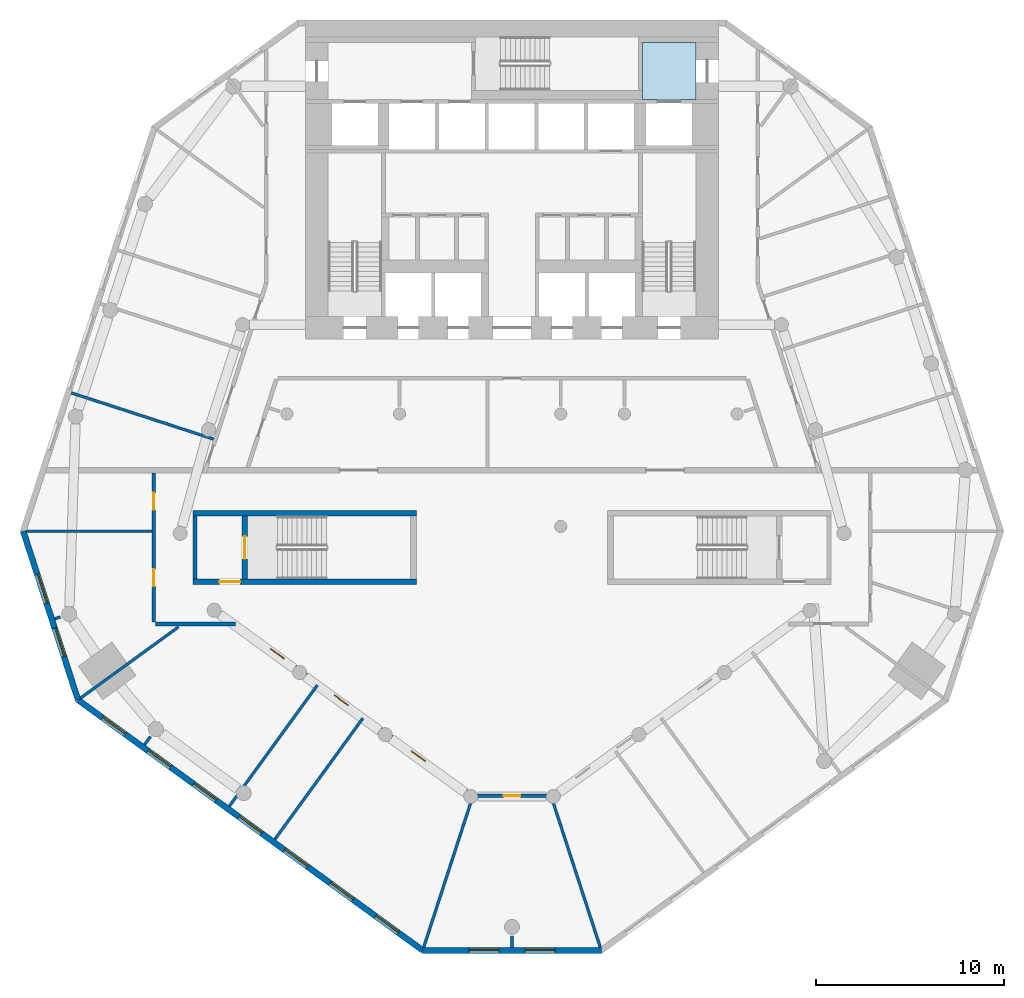
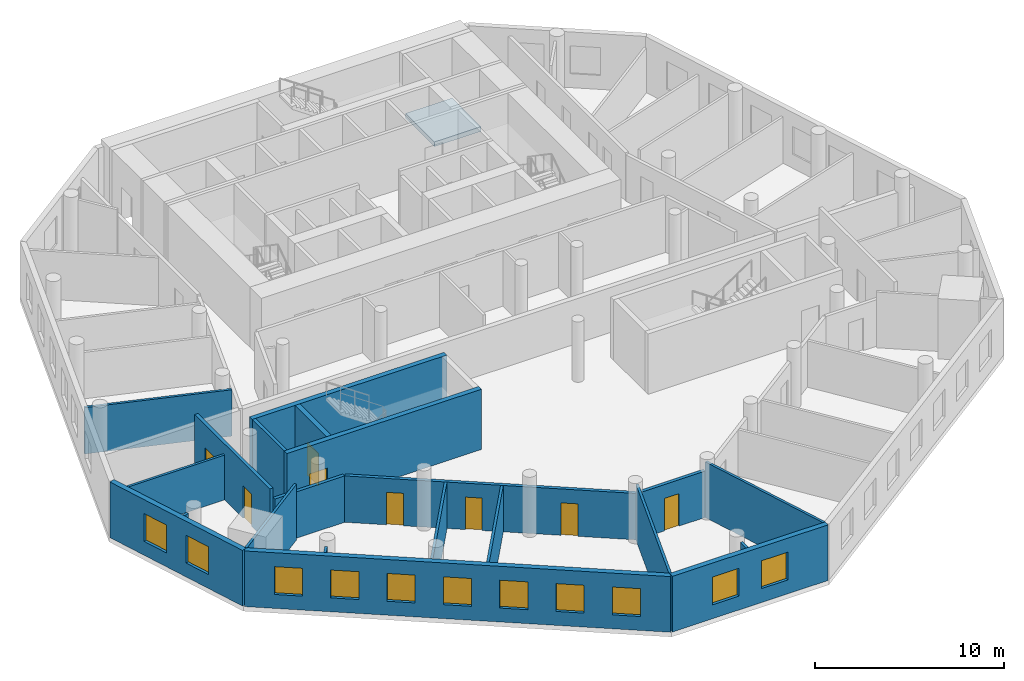
# One storey, part 2 of 9: 21 walls, 11 windows, 8 doors, 1 slab, 19 openings.
"""IFC4 building model written with IfcOpenShell, lengths in metres."""

from ifc_helpers import new_model, si_unit, direction, frame, frame_2d, origin, place, context, subcontext, project, spatial, polyline, rectangle, outline, extrude, material, layer, layer_set, type_object, element, fill, save


model = new_model("IFC4")

# Units and contexts
model_context = context("Model", 3, precision=1e-05, world=origin(), true_north=direction((0.0, 1.0)))
body_context = subcontext(model_context, "Body", "Model", "MODEL_VIEW")
ifc_project = project(units=[si_unit("LENGTHUNIT", "METRE"), si_unit("AREAUNIT", "SQUARE_METRE"), si_unit("VOLUMEUNIT", "CUBIC_METRE"), si_unit("PLANEANGLEUNIT", "RADIAN"), si_unit("MASSUNIT", "GRAM", prefix="KILO")], contexts=[model_context])

# Site, building, storey
site_placement = place(None, origin())
site = spatial("IfcSite", under=ifc_project, at=site_placement, CompositionType="ELEMENT")
building_placement = place(site_placement, origin())
building = spatial("IfcBuilding", under=site, at=building_placement, Name="White Candle Pilgrim Tower", CompositionType="ELEMENT")
storey_placement = place(building_placement, frame((0.0, 0.0, 62.39990234375)))
storey = spatial("IfcBuildingStorey", under=building, at=storey_placement, Name="L12", CompositionType="ELEMENT", Elevation=62.39990234375)

# Slab
ifc_material_1 = material(Name="Concrete C40/50", Category="concrete")
ifc_layer_1 = layer(ifc_material_1, 0.300048828125)
ifc_layer_set_1 = layer_set([ifc_layer_1], Name="Core floor slab 300 mm Concrete C40/50")
slab_type = type_object("IfcSlabType", Name="Core floor slab 300 mm Concrete C40/50", PredefinedType="FLOOR", material=ifc_layer_set_1)
slab_placement = place(storey_placement, frame((0.0, 0.0, -0.2998046875)))
element("IfcSlab", 1, at=slab_placement, inside=storey, type_object=slab_type, Name="CF-L12-06", PredefinedType="FLOOR", context=body_context, shape_type="SweptSolid", body=[
    extrude(outline(polyline([(79.800048828125, 86.800048828125), (79.800048828125, 83.75), (76.949951171875, 83.75), (76.949951171875, 84.25), (76.949951171875, 86.800048828125), (79.800048828125, 86.800048828125)])), origin(), (0.0, 0.0, 1.0), 0.2998046875),
])

# Wall
ifc_material_2 = material(Name="Concrete C70/85", Category="concrete")
ifc_layer_2 = layer(ifc_material_2, 0.199951171875)
ifc_layer_set_2 = layer_set([ifc_layer_2], Name="Core wall 200 mm Concrete C70/85")
wall_type_1 = type_object("IfcWallType", Name="Core wall 200 mm Concrete C70/85", PredefinedType="SHEAR", material=ifc_layer_set_2)
wall_1_placement = place(storey_placement, frame((53.10009765625, 58.199951171875, 0.0), z_axis=(0.0, 0.0, 1.0), x_axis=(0.0, 1.0, 0.0)))
element("IfcWall", 2, at=wall_1_placement, inside=storey, type_object=wall_type_1, Name="WL-L12-C03", PredefinedType="SHEAR", context=body_context, shape_type="SweptSolid", body=[
    extrude(rectangle(XDim=3.35009765625, YDim=0.199951171875, at=frame_2d((1.675048828125, 0.0))), origin(), (0.0, 0.0, 1.0), 3.900146484375),
])

# Wall, opening, door
ifc_material_3 = material(Name="Gypsum board on steel studs", Category="steel")
ifc_layer_3 = layer(ifc_material_3, 0.199951171875)
ifc_layer_set_3 = layer_set([ifc_layer_3], Name="Corridor wall 200 mm EI 45")
wall_type_2 = type_object("IfcWallType", Name="Corridor wall 200 mm EI 45", PredefinedType="PARTITIONING", material=ifc_layer_set_3)
wall_2_placement = place(storey_placement, frame((72.05029296875, 46.635498046875, 0.0), z_axis=(0.0, 0.0, 1.0), x_axis=(-1.0, 0.0, 0.0)))
wall_2 = element("IfcWall", 3, at=wall_2_placement, inside=storey, type_object=wall_type_2, Name="WL-L12-P009", PredefinedType="PARTITIONING", context=body_context, shape_type="SweptSolid", body=[
    extrude(rectangle(XDim=4.1005859375, YDim=0.199951171875, at=frame_2d((2.05029296875, 0.0))), origin(), (0.0, 0.0, 1.0), 3.0),
])
opening_1_placement = place(wall_2_placement, frame((1.600341796875, 0.0, 0.0)))
opening_1 = element("IfcOpeningElement", 4, at=opening_1_placement, cuts=wall_2, Name="Opening T03-105", PredefinedType="OPENING", context=body_context, shape_type="SweptSolid", body=[
    extrude(rectangle(XDim=0.89990234375, YDim=2.10009765625, at=frame_2d((0.449951171875, 1.050048828125))), frame((0.0, 0.10986328125, 0.0), z_axis=(0.0, -1.0, 0.0), x_axis=(1.0, 0.0, 0.0)), (0.0, 0.0, 1.0), 0.219970703125),
])
ifc_material_4 = material(Name="Steel door leaf", Category="steel")
door_type_1 = type_object("IfcDoorType", Name="Fire door 900 x 2100 EI 30", OperationType="NOTDEFINED", PredefinedType="DOOR", material=ifc_material_4)
door_1_placement = place(opening_1_placement, origin())
door_1 = element("IfcDoor", 5, at=door_1_placement, inside=storey, type_object=door_type_1, Name="Door T03-105", OperationType="SINGLE_SWING_LEFT", OverallHeight=2.10009765625, OverallWidth=0.89990234375, PredefinedType="DOOR", context=body_context, shape_type="SweptSolid", body=[
    extrude(rectangle(XDim=0.89990234375, YDim=2.10009765625, at=frame_2d((0.449951171875, 1.050048828125))), frame((0.0, 0.02490234375, 0.0), z_axis=(0.0, -1.0, 0.0), x_axis=(1.0, 0.0, 0.0)), (0.0, 0.0, 1.0), 0.050048828125),
])
fill(opening_1, door_1)

# Wall, openings, doors
wall_3_placement = place(storey_placement, frame((67.89111328125, 46.654541015625, 0.0), z_axis=(0.0, 0.0, 1.0), x_axis=(-0.80901748899, 0.587784571512, 0.0)))
wall_3 = element("IfcWall", 6, at=wall_3_placement, inside=storey, type_object=wall_type_2, Name="WL-L12-P010", PredefinedType="PARTITIONING", context=body_context, shape_type="SweptSolid", body=[
    extrude(rectangle(XDim=15.52685546875, YDim=0.199951171875, at=frame_2d((7.763427734375, 0.0))), origin(), (0.0, 0.0, 1.0), 3.0),
])
opening_2_placement = place(wall_3_placement, frame((12.40380859375, 0.0, 0.0)))
opening_2 = element("IfcOpeningElement", 7, at=opening_2_placement, cuts=wall_3, Name="Opening T03-102", PredefinedType="OPENING", context=body_context, shape_type="SweptSolid", body=[
    extrude(rectangle(XDim=0.89990234375, YDim=2.10009765625, at=frame_2d((0.449951171875, 1.050048828125))), frame((0.0, 0.10986328125, 0.0), z_axis=(0.0, -1.0, 0.0), x_axis=(1.0, 0.0, 0.0)), (0.0, 0.0, 1.0), 0.219970703125),
])
opening_3_placement = place(wall_3_placement, frame((8.198486328125, 0.0, 0.0)))
opening_3 = element("IfcOpeningElement", 8, at=opening_3_placement, cuts=wall_3, Name="Opening T03-103", PredefinedType="OPENING", context=body_context, shape_type="SweptSolid", body=[
    extrude(rectangle(XDim=0.89990234375, YDim=2.10009765625, at=frame_2d((0.449951171875, 1.050048828125))), frame((0.0, 0.10986328125, 0.0), z_axis=(0.0, -1.0, 0.0), x_axis=(1.0, 0.0, 0.0)), (0.0, 0.0, 1.0), 0.219970703125),
])
opening_4_placement = place(wall_3_placement, frame((3.10791015625, 0.0, 0.0)))
opening_4 = element("IfcOpeningElement", 9, at=opening_4_placement, cuts=wall_3, Name="Opening T03-104", PredefinedType="OPENING", context=body_context, shape_type="SweptSolid", body=[
    extrude(rectangle(XDim=0.89990234375, YDim=2.10009765625, at=frame_2d((0.449951171875, 1.050048828125))), frame((0.0, 0.10986328125, 0.0), z_axis=(0.0, -1.0, 0.0), x_axis=(1.0, 0.0, 0.0)), (0.0, 0.0, 1.0), 0.219970703125),
])
door_2_placement = place(opening_2_placement, origin())
door_2 = element("IfcDoor", 10, at=door_2_placement, inside=storey, type_object=door_type_1, Name="Door T03-102", OperationType="SINGLE_SWING_RIGHT", OverallHeight=2.10009765625, OverallWidth=0.89990234375, PredefinedType="DOOR", context=body_context, shape_type="SweptSolid", body=[
    extrude(rectangle(XDim=0.89990234375, YDim=2.10009765625, at=frame_2d((0.449951171875, 1.050048828125))), frame((0.0, 0.02490234375, 0.0), z_axis=(0.0, -1.0, 0.0), x_axis=(1.0, 0.0, 0.0)), (0.0, 0.0, 1.0), 0.050048828125),
])
fill(opening_2, door_2)
door_3_placement = place(opening_3_placement, origin())
door_3 = element("IfcDoor", 11, at=door_3_placement, inside=storey, type_object=door_type_1, Name="Door T03-103", OperationType="SINGLE_SWING_LEFT", OverallHeight=2.10009765625, OverallWidth=0.89990234375, PredefinedType="DOOR", context=body_context, shape_type="SweptSolid", body=[
    extrude(rectangle(XDim=0.89990234375, YDim=2.10009765625, at=frame_2d((0.449951171875, 1.050048828125))), frame((0.0, 0.02490234375, 0.0), z_axis=(0.0, -1.0, 0.0), x_axis=(1.0, 0.0, 0.0)), (0.0, 0.0, 1.0), 0.050048828125),
])
fill(opening_3, door_3)
door_4_placement = place(opening_4_placement, origin())
door_4 = element("IfcDoor", 12, at=door_4_placement, inside=storey, type_object=door_type_1, Name="Door T03-104", OperationType="SINGLE_SWING_RIGHT", OverallHeight=2.10009765625, OverallWidth=0.89990234375, PredefinedType="DOOR", context=body_context, shape_type="SweptSolid", body=[
    extrude(rectangle(XDim=0.89990234375, YDim=2.10009765625, at=frame_2d((0.449951171875, 1.050048828125))), frame((0.0, 0.02490234375, 0.0), z_axis=(0.0, -1.0, 0.0), x_axis=(1.0, 0.0, 0.0)), (0.0, 0.0, 1.0), 0.050048828125),
])
fill(opening_4, door_4)

# Wall
wall_4_placement = place(storey_placement, frame((55.27099609375, 55.800048828125, 0.0), z_axis=(0.0, 0.0, 1.0), x_axis=(-1.0, 0.0, 0.0)))
element("IfcWall", 13, at=wall_4_placement, inside=storey, type_object=wall_type_2, Name="WL-L12-P011", PredefinedType="PARTITIONING", context=body_context, shape_type="SweptSolid", body=[
    extrude(rectangle(XDim=4.27099609375, YDim=0.199951171875, at=frame_2d((2.135498046875, 0.0))), origin(), (0.0, 0.0, 1.0), 3.0),
])

# Wall, openings, doors
wall_5_placement = place(storey_placement, frame((50.89990234375, 55.89990234375, 0.0), z_axis=(0.0, 0.0, 1.0), x_axis=(0.0, 1.0, 0.0)))
wall_5 = element("IfcWall", 14, at=wall_5_placement, inside=storey, type_object=wall_type_2, Name="WL-L12-P012", PredefinedType="PARTITIONING", context=body_context, shape_type="SweptSolid", body=[
    extrude(rectangle(XDim=7.9501953125, YDim=0.199951171875, at=frame_2d((3.97509765625, 0.0))), origin(), (0.0, 0.0, 1.0), 3.60009765625),
])
opening_5_placement = place(wall_5_placement, frame((1.923583984375, 0.0, 0.0)))
opening_5 = element("IfcOpeningElement", 15, at=opening_5_placement, cuts=wall_5, Name="Opening T03-101", PredefinedType="OPENING", context=body_context, shape_type="SweptSolid", body=[
    extrude(rectangle(XDim=0.89990234375, YDim=2.10009765625, at=frame_2d((0.449951171875, 1.050048828125))), frame((0.0, 0.10986328125, 0.0), z_axis=(0.0, -1.0, 0.0), x_axis=(1.0, 0.0, 0.0)), (0.0, 0.0, 1.0), 0.219970703125),
])
opening_6_placement = place(wall_5_placement, frame((5.986083984375, 0.0, 0.0)))
opening_6 = element("IfcOpeningElement", 16, at=opening_6_placement, cuts=wall_5, Name="Opening T03-114", PredefinedType="OPENING", context=body_context, shape_type="SweptSolid", body=[
    extrude(rectangle(XDim=0.89990234375, YDim=2.10009765625, at=frame_2d((0.449951171875, 1.050048828125))), frame((0.0, 0.10986328125, 0.0), z_axis=(0.0, -1.0, 0.0), x_axis=(1.0, 0.0, 0.0)), (0.0, 0.0, 1.0), 0.219970703125),
])
door_5_placement = place(opening_5_placement, origin())
door_5 = element("IfcDoor", 17, at=door_5_placement, inside=storey, type_object=door_type_1, Name="Door T03-101", OperationType="SINGLE_SWING_LEFT", OverallHeight=2.10009765625, OverallWidth=0.89990234375, PredefinedType="DOOR", context=body_context, shape_type="SweptSolid", body=[
    extrude(rectangle(XDim=0.89990234375, YDim=2.10009765625, at=frame_2d((0.449951171875, 1.050048828125))), frame((0.0, 0.02490234375, 0.0), z_axis=(0.0, -1.0, 0.0), x_axis=(1.0, 0.0, 0.0)), (0.0, 0.0, 1.0), 0.050048828125),
])
fill(opening_5, door_5)
door_6_placement = place(opening_6_placement, origin())
door_6 = element("IfcDoor", 18, at=door_6_placement, inside=storey, type_object=door_type_1, Name="Door T03-114", OperationType="SINGLE_SWING_RIGHT", OverallHeight=2.10009765625, OverallWidth=0.89990234375, PredefinedType="DOOR", context=body_context, shape_type="SweptSolid", body=[
    extrude(rectangle(XDim=0.89990234375, YDim=2.10009765625, at=frame_2d((0.449951171875, 1.050048828125))), frame((0.0, 0.02490234375, 0.0), z_axis=(0.0, -1.0, 0.0), x_axis=(1.0, 0.0, 0.0)), (0.0, 0.0, 1.0), 0.050048828125),
])
fill(opening_6, door_6)

# Wall, openings, windows
ifc_material_5 = material(Name="Precast concrete C40/50", Category="concrete")
ifc_layer_4 = layer(ifc_material_5, 0.320068359375)
ifc_layer_set_4 = layer_set([ifc_layer_4], Name="Facade wall EW1 precast concrete C40/50 pier wall with timber-lined reveals")
wall_type_3 = type_object("IfcWallType", Name="Facade wall EW1 precast concrete C40/50 pier wall with timber-lined reveals", PredefinedType="SOLIDWALL", material=ifc_layer_set_4)
wall_6_placement = place(storey_placement, frame((43.937744140625, 60.747314453125, 0.0), z_axis=(0.0, 0.0, 1.0), x_axis=(0.309035900621, -0.951050373076, 0.0)))
wall_6 = element("IfcWall", 19, at=wall_6_placement, inside=storey, type_object=wall_type_3, Name="Facade wall L12 W chamfer", PredefinedType="SOLIDWALL", context=body_context, shape_type="SweptSolid", body=[
    extrude(rectangle(XDim=9.462646484375, YDim=0.320068359375, at=frame_2d((4.7314453125, 0.0))), origin(), (0.0, 0.0, 1.0), 3.60009765625),
])
opening_7_placement = place(wall_6_placement, frame((2.431396484375, 0.0, 0.89990234375)))
opening_7 = element("IfcOpeningElement", 20, at=opening_7_placement, cuts=wall_6, Name="Opening W2", PredefinedType="OPENING", context=body_context, shape_type="SweptSolid", body=[
    extrude(rectangle(XDim=1.60009765625, YDim=1.800048828125, at=frame_2d((0.800048828125, 0.89990234375))), frame((0.0, 0.169921875, 0.0), z_axis=(0.0, -1.0, 0.0), x_axis=(1.0, 0.0, 0.0)), (0.0, 0.0, 1.0), 0.340087890625),
])
opening_8_placement = place(wall_6_placement, frame((5.431396484375, 0.0, 0.89990234375)))
opening_8 = element("IfcOpeningElement", 21, at=opening_8_placement, cuts=wall_6, Name="Opening W2", PredefinedType="OPENING", context=body_context, shape_type="SweptSolid", body=[
    extrude(rectangle(XDim=1.60009765625, YDim=1.800048828125, at=frame_2d((0.800048828125, 0.89990234375))), frame((0.0, 0.169921875, 0.0), z_axis=(0.0, -1.0, 0.0), x_axis=(1.0, 0.0, 0.0)), (0.0, 0.0, 1.0), 0.340087890625),
])
ifc_material_6 = material(Name="Timber frame with triple glazing", Category="wood")
window_type_1 = type_object("IfcWindowType", Name="Window W2 1600x1800 timber frame triple glazing", PartitioningType="SINGLE_PANEL", PredefinedType="WINDOW", material=ifc_material_6)
window_1_placement = place(opening_7_placement, origin())
window_1 = element("IfcWindow", 22, at=window_1_placement, inside=storey, type_object=window_type_1, Name="Window W2 L12 W chamfer 1", OverallHeight=1.800048828125, OverallWidth=1.60009765625, PartitioningType="SINGLE_PANEL", PredefinedType="WINDOW", context=body_context, shape_type="SweptSolid", body=[
    extrude(rectangle(XDim=1.60009765625, YDim=1.800048828125, at=frame_2d((0.800048828125, 0.89990234375))), frame((0.0, 0.070068359375, 0.0), z_axis=(0.0, -1.0, 0.0), x_axis=(1.0, 0.0, 0.0)), (0.0, 0.0, 1.0), 0.06005859375),
])
fill(opening_7, window_1)
window_2_placement = place(opening_8_placement, origin())
window_2 = element("IfcWindow", 23, at=window_2_placement, inside=storey, type_object=window_type_1, Name="Window W2 L12 W chamfer 2", OverallHeight=1.800048828125, OverallWidth=1.60009765625, PartitioningType="SINGLE_PANEL", PredefinedType="WINDOW", context=body_context, shape_type="SweptSolid", body=[
    extrude(rectangle(XDim=1.60009765625, YDim=1.800048828125, at=frame_2d((0.800048828125, 0.89990234375))), frame((0.0, 0.070068359375, 0.0), z_axis=(0.0, -1.0, 0.0), x_axis=(1.0, 0.0, 0.0)), (0.0, 0.0, 1.0), 0.06005859375),
])
fill(opening_8, window_2)

wall_7_placement = place(storey_placement, frame((46.862060546875, 51.747802734375, 0.0), z_axis=(0.0, 0.0, 1.0), x_axis=(0.809018094896, -0.587783737552, 0.0)))
wall_7 = element("IfcWall", 24, at=wall_7_placement, inside=storey, type_object=wall_type_3, Name="Facade wall L12 SW", PredefinedType="SOLIDWALL", context=body_context, shape_type="SweptSolid", body=[
    extrude(rectangle(XDim=22.71630859375, YDim=0.320068359375, at=frame_2d((11.358154296875, 0.0))), origin(), (0.0, 0.0, 1.0), 3.60009765625),
])
opening_9_placement = place(wall_7_placement, frame((1.608154296875, 0.0, 0.89990234375)))
opening_9 = element("IfcOpeningElement", 25, at=opening_9_placement, cuts=wall_7, Name="Opening W1", PredefinedType="OPENING", context=body_context, shape_type="SweptSolid", body=[
    extrude(rectangle(XDim=1.5, YDim=1.800048828125, at=frame_2d((0.75, 0.89990234375))), frame((0.0, 0.169921875, 0.0), z_axis=(0.0, -1.0, 0.0), x_axis=(1.0, 0.0, 0.0)), (0.0, 0.0, 1.0), 0.340087890625),
])
opening_10_placement = place(wall_7_placement, frame((4.608154296875, 0.0, 0.89990234375)))
opening_10 = element("IfcOpeningElement", 26, at=opening_10_placement, cuts=wall_7, Name="Opening W1", PredefinedType="OPENING", context=body_context, shape_type="SweptSolid", body=[
    extrude(rectangle(XDim=1.5, YDim=1.800048828125, at=frame_2d((0.75, 0.89990234375))), frame((0.0, 0.169921875, 0.0), z_axis=(0.0, -1.0, 0.0), x_axis=(1.0, 0.0, 0.0)), (0.0, 0.0, 1.0), 0.340087890625),
])
opening_11_placement = place(wall_7_placement, frame((7.608154296875, 0.0, 0.89990234375)))
opening_11 = element("IfcOpeningElement", 27, at=opening_11_placement, cuts=wall_7, Name="Opening W1", PredefinedType="OPENING", context=body_context, shape_type="SweptSolid", body=[
    extrude(rectangle(XDim=1.5, YDim=1.800048828125, at=frame_2d((0.75, 0.89990234375))), frame((0.0, 0.169921875, 0.0), z_axis=(0.0, -1.0, 0.0), x_axis=(1.0, 0.0, 0.0)), (0.0, 0.0, 1.0), 0.340087890625),
])
opening_12_placement = place(wall_7_placement, frame((10.608154296875, 0.0, 0.89990234375)))
opening_12 = element("IfcOpeningElement", 28, at=opening_12_placement, cuts=wall_7, Name="Opening W1", PredefinedType="OPENING", context=body_context, shape_type="SweptSolid", body=[
    extrude(rectangle(XDim=1.5, YDim=1.800048828125, at=frame_2d((0.75, 0.89990234375))), frame((0.0, 0.169921875, 0.0), z_axis=(0.0, -1.0, 0.0), x_axis=(1.0, 0.0, 0.0)), (0.0, 0.0, 1.0), 0.340087890625),
])
opening_13_placement = place(wall_7_placement, frame((13.608154296875, 0.0, 0.89990234375)))
opening_13 = element("IfcOpeningElement", 29, at=opening_13_placement, cuts=wall_7, Name="Opening W1", PredefinedType="OPENING", context=body_context, shape_type="SweptSolid", body=[
    extrude(rectangle(XDim=1.5, YDim=1.800048828125, at=frame_2d((0.75, 0.89990234375))), frame((0.0, 0.169921875, 0.0), z_axis=(0.0, -1.0, 0.0), x_axis=(1.0, 0.0, 0.0)), (0.0, 0.0, 1.0), 0.340087890625),
])
opening_14_placement = place(wall_7_placement, frame((16.608154296875, 0.0, 0.89990234375)))
opening_14 = element("IfcOpeningElement", 30, at=opening_14_placement, cuts=wall_7, Name="Opening W1", PredefinedType="OPENING", context=body_context, shape_type="SweptSolid", body=[
    extrude(rectangle(XDim=1.5, YDim=1.800048828125, at=frame_2d((0.75, 0.89990234375))), frame((0.0, 0.169921875, 0.0), z_axis=(0.0, -1.0, 0.0), x_axis=(1.0, 0.0, 0.0)), (0.0, 0.0, 1.0), 0.340087890625),
])
opening_15_placement = place(wall_7_placement, frame((19.608154296875, 0.0, 0.89990234375)))
opening_15 = element("IfcOpeningElement", 31, at=opening_15_placement, cuts=wall_7, Name="Opening W1", PredefinedType="OPENING", context=body_context, shape_type="SweptSolid", body=[
    extrude(rectangle(XDim=1.5, YDim=1.800048828125, at=frame_2d((0.75, 0.89990234375))), frame((0.0, 0.169921875, 0.0), z_axis=(0.0, -1.0, 0.0), x_axis=(1.0, 0.0, 0.0)), (0.0, 0.0, 1.0), 0.340087890625),
])
window_type_2 = type_object("IfcWindowType", Name="Window W1 1500x1800 timber frame triple glazing", PartitioningType="SINGLE_PANEL", PredefinedType="WINDOW", material=ifc_material_6)
window_3_placement = place(opening_9_placement, origin())
window_3 = element("IfcWindow", 32, at=window_3_placement, inside=storey, type_object=window_type_2, Name="Window W1 L12 SW 1", OverallHeight=1.800048828125, OverallWidth=1.5, PartitioningType="SINGLE_PANEL", PredefinedType="WINDOW", context=body_context, shape_type="SweptSolid", body=[
    extrude(rectangle(XDim=1.5, YDim=1.800048828125, at=frame_2d((0.75, 0.89990234375))), frame((0.0, 0.070068359375, 0.0), z_axis=(0.0, -1.0, 0.0), x_axis=(1.0, 0.0, 0.0)), (0.0, 0.0, 1.0), 0.06005859375),
])
fill(opening_9, window_3)
window_4_placement = place(opening_10_placement, origin())
window_4 = element("IfcWindow", 33, at=window_4_placement, inside=storey, type_object=window_type_2, Name="Window W1 L12 SW 2", OverallHeight=1.800048828125, OverallWidth=1.5, PartitioningType="SINGLE_PANEL", PredefinedType="WINDOW", context=body_context, shape_type="SweptSolid", body=[
    extrude(rectangle(XDim=1.5, YDim=1.800048828125, at=frame_2d((0.75, 0.89990234375))), frame((0.0, 0.070068359375, 0.0), z_axis=(0.0, -1.0, 0.0), x_axis=(1.0, 0.0, 0.0)), (0.0, 0.0, 1.0), 0.06005859375),
])
fill(opening_10, window_4)
window_5_placement = place(opening_11_placement, origin())
window_5 = element("IfcWindow", 34, at=window_5_placement, inside=storey, type_object=window_type_2, Name="Window W1 L12 SW 3", OverallHeight=1.800048828125, OverallWidth=1.5, PartitioningType="SINGLE_PANEL", PredefinedType="WINDOW", context=body_context, shape_type="SweptSolid", body=[
    extrude(rectangle(XDim=1.5, YDim=1.800048828125, at=frame_2d((0.75, 0.89990234375))), frame((0.0, 0.070068359375, 0.0), z_axis=(0.0, -1.0, 0.0), x_axis=(1.0, 0.0, 0.0)), (0.0, 0.0, 1.0), 0.06005859375),
])
fill(opening_11, window_5)
window_6_placement = place(opening_12_placement, origin())
window_6 = element("IfcWindow", 35, at=window_6_placement, inside=storey, type_object=window_type_2, Name="Window W1 L12 SW 4", OverallHeight=1.800048828125, OverallWidth=1.5, PartitioningType="SINGLE_PANEL", PredefinedType="WINDOW", context=body_context, shape_type="SweptSolid", body=[
    extrude(rectangle(XDim=1.5, YDim=1.800048828125, at=frame_2d((0.75, 0.89990234375))), frame((0.0, 0.070068359375, 0.0), z_axis=(0.0, -1.0, 0.0), x_axis=(1.0, 0.0, 0.0)), (0.0, 0.0, 1.0), 0.06005859375),
])
fill(opening_12, window_6)
window_7_placement = place(opening_13_placement, origin())
window_7 = element("IfcWindow", 36, at=window_7_placement, inside=storey, type_object=window_type_2, Name="Window W1 L12 SW 5", OverallHeight=1.800048828125, OverallWidth=1.5, PartitioningType="SINGLE_PANEL", PredefinedType="WINDOW", context=body_context, shape_type="SweptSolid", body=[
    extrude(rectangle(XDim=1.5, YDim=1.800048828125, at=frame_2d((0.75, 0.89990234375))), frame((0.0, 0.070068359375, 0.0), z_axis=(0.0, -1.0, 0.0), x_axis=(1.0, 0.0, 0.0)), (0.0, 0.0, 1.0), 0.06005859375),
])
fill(opening_13, window_7)
window_8_placement = place(opening_14_placement, origin())
window_8 = element("IfcWindow", 37, at=window_8_placement, inside=storey, type_object=window_type_2, Name="Window W1 L12 SW 6", OverallHeight=1.800048828125, OverallWidth=1.5, PartitioningType="SINGLE_PANEL", PredefinedType="WINDOW", context=body_context, shape_type="SweptSolid", body=[
    extrude(rectangle(XDim=1.5, YDim=1.800048828125, at=frame_2d((0.75, 0.89990234375))), frame((0.0, 0.070068359375, 0.0), z_axis=(0.0, -1.0, 0.0), x_axis=(1.0, 0.0, 0.0)), (0.0, 0.0, 1.0), 0.06005859375),
])
fill(opening_14, window_8)
window_9_placement = place(opening_15_placement, origin())
window_9 = element("IfcWindow", 38, at=window_9_placement, inside=storey, type_object=window_type_2, Name="Window W1 L12 SW 7", OverallHeight=1.800048828125, OverallWidth=1.5, PartitioningType="SINGLE_PANEL", PredefinedType="WINDOW", context=body_context, shape_type="SweptSolid", body=[
    extrude(rectangle(XDim=1.5, YDim=1.800048828125, at=frame_2d((0.75, 0.89990234375))), frame((0.0, 0.070068359375, 0.0), z_axis=(0.0, -1.0, 0.0), x_axis=(1.0, 0.0, 0.0)), (0.0, 0.0, 1.0), 0.06005859375),
])
fill(opening_15, window_9)

wall_8_placement = place(storey_placement, frame((65.239990234375, 38.3955078125, 0.0), z_axis=(0.0, 0.0, 1.0), x_axis=(1.0, 0.0, 0.0)))
wall_8 = element("IfcWall", 39, at=wall_8_placement, inside=storey, type_object=wall_type_3, Name="Facade wall L12 S chamfer", PredefinedType="SOLIDWALL", context=body_context, shape_type="SweptSolid", body=[
    extrude(rectangle(XDim=9.52001953125, YDim=0.320068359375, at=frame_2d((4.760009765625, 0.0))), origin(), (0.0, 0.0, 1.0), 3.60009765625),
])
opening_16_placement = place(wall_8_placement, frame((2.460205078125, 0.0, 0.89990234375)))
opening_16 = element("IfcOpeningElement", 40, at=opening_16_placement, cuts=wall_8, Name="Opening W2", PredefinedType="OPENING", context=body_context, shape_type="SweptSolid", body=[
    extrude(rectangle(XDim=1.60009765625, YDim=1.800048828125, at=frame_2d((0.800048828125, 0.89990234375))), frame((0.0, 0.169921875, 0.0), z_axis=(0.0, -1.0, 0.0), x_axis=(1.0, 0.0, 0.0)), (0.0, 0.0, 1.0), 0.340087890625),
])
opening_17_placement = place(wall_8_placement, frame((5.460205078125, 0.0, 0.89990234375)))
opening_17 = element("IfcOpeningElement", 41, at=opening_17_placement, cuts=wall_8, Name="Opening W2", PredefinedType="OPENING", context=body_context, shape_type="SweptSolid", body=[
    extrude(rectangle(XDim=1.60009765625, YDim=1.800048828125, at=frame_2d((0.800048828125, 0.89990234375))), frame((0.0, 0.169921875, 0.0), z_axis=(0.0, -1.0, 0.0), x_axis=(1.0, 0.0, 0.0)), (0.0, 0.0, 1.0), 0.340087890625),
])
window_10_placement = place(opening_16_placement, origin())
window_10 = element("IfcWindow", 42, at=window_10_placement, inside=storey, type_object=window_type_1, Name="Window W2 L12 S chamfer 1", OverallHeight=1.800048828125, OverallWidth=1.60009765625, PartitioningType="SINGLE_PANEL", PredefinedType="WINDOW", context=body_context, shape_type="SweptSolid", body=[
    extrude(rectangle(XDim=1.60009765625, YDim=1.800048828125, at=frame_2d((0.800048828125, 0.89990234375))), frame((0.0, 0.070068359375, 0.0), z_axis=(0.0, -1.0, 0.0), x_axis=(1.0, 0.0, 0.0)), (0.0, 0.0, 1.0), 0.06005859375),
])
fill(opening_16, window_10)
window_11_placement = place(opening_17_placement, origin())
window_11 = element("IfcWindow", 43, at=window_11_placement, inside=storey, type_object=window_type_1, Name="Window W2 L12 S chamfer 2", OverallHeight=1.800048828125, OverallWidth=1.60009765625, PartitioningType="SINGLE_PANEL", PredefinedType="WINDOW", context=body_context, shape_type="SweptSolid", body=[
    extrude(rectangle(XDim=1.60009765625, YDim=1.800048828125, at=frame_2d((0.800048828125, 0.89990234375))), frame((0.0, 0.070068359375, 0.0), z_axis=(0.0, -1.0, 0.0), x_axis=(1.0, 0.0, 0.0)), (0.0, 0.0, 1.0), 0.06005859375),
])
fill(opening_17, window_11)

# Walls
ifc_layer_5 = layer(ifc_material_3, 0.14990234375)
ifc_layer_set_5 = layer_set([ifc_layer_5], Name="Partition 150 mm EI 60")
wall_type_4 = type_object("IfcWallType", Name="Partition 150 mm EI 60", PredefinedType="PARTITIONING", material=ifc_layer_set_5)
wall_9_placement = place(storey_placement, frame((44.10595703125, 60.747314453125, 0.0), z_axis=(0.0, 0.0, 1.0), x_axis=(1.0, 0.0, 0.0)))
element("IfcWall", 44, at=wall_9_placement, inside=storey, type_object=wall_type_4, Name="WL-L12-P017", PredefinedType="PARTITIONING", context=body_context, shape_type="SweptSolid", body=[
    extrude(rectangle(XDim=6.694091796875, YDim=0.14990234375, at=frame_2d((3.34716796875, 0.0))), origin(), (0.0, 0.0, 1.0), 2.900146484375),
])
wall_10_placement = place(storey_placement, frame((46.998046875, 51.8466796875, 0.0), z_axis=(0.0, 0.0, 1.0), x_axis=(0.809002704112, 0.587804920649, 0.0)))
element("IfcWall", 45, at=wall_10_placement, inside=storey, type_object=wall_type_4, Name="WL-L12-P018", PredefinedType="PARTITIONING", context=body_context, shape_type="SweptSolid", body=[
    extrude(rectangle(XDim=6.452392578125, YDim=0.14990234375, at=frame_2d((3.22607421875, 0.0))), origin(), (0.0, 0.0, 1.0), 3.60009765625),
])
for number, where, z_axis, x_axis, name in (
    (46, (65.2919921875, 38.555419921875, 0.0), (0.0, 0.0, 1.0), (0.309017155919, 0.951056463806, 0.0), "WL-L12-P019"),
    (47, (74.7080078125, 38.555419921875, 0.0), (0.0, 0.0, 1.0), (-0.309017155919, 0.951056463806, 0.0), "WL-L12-P020"),
):
    element("IfcWall", number, at=place(storey_placement, frame(where, z_axis=z_axis, x_axis=x_axis)), inside=storey, type_object=wall_type_4, Name=name, PredefinedType="PARTITIONING", context=body_context, shape_type="SweptSolid", body=[
        extrude(rectangle(XDim=8.410888671875, YDim=0.14990234375, at=frame_2d((4.20556640625, 0.0))), origin(), (0.0, 0.0, 1.0), 3.60009765625),
    ])
for number, where, z_axis, x_axis, name in (
    (48, (46.502197265625, 68.122314453125, 0.0), (0.0, 0.0, 1.0), (0.951054525606, -0.30902312102, 0.0), "WL-L12-P027"),
    (49, (54.931396484375, 46.082763671875, 0.0), (0.0, 0.0, 1.0), (0.587791447383, 0.809012493342, 0.0), "WL-L12-P028"),
    (50, (57.3583984375, 44.3193359375, 0.0), (0.0, 0.0, 1.0), (0.587791447383, 0.809012493342, 0.0), "WL-L12-P029"),
):
    element("IfcWall", number, at=place(storey_placement, frame(where, z_axis=z_axis, x_axis=x_axis)), inside=storey, type_object=wall_type_4, Name=name, PredefinedType="PARTITIONING", context=body_context, shape_type="SweptSolid", body=[
        extrude(rectangle(XDim=7.980224609375, YDim=0.14990234375, at=frame_2d((3.990234375, 0.0))), origin(), (0.0, 0.0, 1.0), 3.0),
    ])
wall_11_placement = place(storey_placement, frame((45.92529296875, 56.1748046875, 0.0), z_axis=(0.0, 0.0, 1.0), x_axis=(-0.951192295865, -0.308598795018, 0.0)))
element("IfcWall", 51, at=wall_11_placement, inside=storey, type_object=wall_type_4, Name="WL-L12-P040", PredefinedType="PARTITIONING", context=body_context, shape_type="SweptSolid", body=[
    extrude(rectangle(XDim=0.317138671875, YDim=0.14990234375, at=frame_2d((0.15869140625, 0.0))), origin(), (0.0, 0.0, 1.0), 3.60009765625),
])
wall_12_placement = place(storey_placement, frame((50.72412109375, 49.799560546875, 0.0), z_axis=(0.0, 0.0, 1.0), x_axis=(-0.588008562827, -0.808854702676, 0.0)))
element("IfcWall", 52, at=wall_12_placement, inside=storey, type_object=wall_type_4, Name="WL-L12-P041", PredefinedType="PARTITIONING", context=body_context, shape_type="SweptSolid", body=[
    extrude(rectangle(XDim=0.533935546875, YDim=0.14990234375, at=frame_2d((0.26708984375, 0.0))), origin(), (0.0, 0.0, 1.0), 3.60009765625),
])
wall_13_placement = place(storey_placement, frame((70.002197265625, 39.159912109375, 0.0), z_axis=(0.0, 0.0, 1.0), x_axis=(0.0, -1.0, 0.0)))
element("IfcWall", 53, at=wall_13_placement, inside=storey, type_object=wall_type_4, Name="WL-L12-P042", PredefinedType="PARTITIONING", context=body_context, shape_type="SweptSolid", body=[
    extrude(rectangle(XDim=0.6044921875, YDim=0.14990234375, at=frame_2d((0.30224609375, 0.0))), origin(), (0.0, 0.0, 1.0), 3.60009765625),
])

# Wall, opening, door
ifc_layer_6 = layer(ifc_material_2, 0.300048828125)
ifc_layer_set_6 = layer_set([ifc_layer_6], Name="Stair shaft wall 300 mm Concrete C70/85")
wall_type_5 = type_object("IfcWallType", Name="Stair shaft wall 300 mm Concrete C70/85", PredefinedType="SHEAR", material=ifc_layer_set_6)
wall_14_placement = place(storey_placement, frame((53.0, 58.050048828125, 0.0), z_axis=(0.0, 0.0, 1.0), x_axis=(1.0, 0.0, 0.0)))
wall_14 = element("IfcWall", 54, at=wall_14_placement, inside=storey, type_object=wall_type_5, Name="WL-L12-C01", PredefinedType="SHEAR", context=body_context, shape_type="SweptSolid", body=[
    extrude(rectangle(XDim=11.89990234375, YDim=0.300048828125, at=frame_2d((5.949951171875, 0.0))), origin(), (0.0, 0.0, 1.0), 3.900146484375),
])
opening_18_placement = place(wall_14_placement, frame((1.39990234375, 0.0, 0.0)))
opening_18 = element("IfcOpeningElement", 55, at=opening_18_placement, cuts=wall_14, Name="Opening T03-007", PredefinedType="OPENING", context=body_context, shape_type="SweptSolid", body=[
    extrude(rectangle(XDim=1.10009765625, YDim=2.10009765625, at=frame_2d((0.550048828125, 1.050048828125))), frame((0.0, 0.159912109375, 0.0), z_axis=(0.0, -1.0, 0.0), x_axis=(1.0, 0.0, 0.0)), (0.0, 0.0, 1.0), 0.320068359375),
])
door_type_2 = type_object("IfcDoorType", Name="Fire door 1100 x 2100 EI 60", OperationType="NOTDEFINED", PredefinedType="DOOR", material=ifc_material_4)
door_7_placement = place(opening_18_placement, origin())
door_7 = element("IfcDoor", 56, at=door_7_placement, inside=storey, type_object=door_type_2, Name="Door T03-007", OperationType="SINGLE_SWING_LEFT", OverallHeight=2.10009765625, OverallWidth=1.10009765625, PredefinedType="DOOR", context=body_context, shape_type="SweptSolid", body=[
    extrude(rectangle(XDim=1.10009765625, YDim=2.10009765625, at=frame_2d((0.550048828125, 1.050048828125))), frame((0.0, 0.02490234375, 0.0), z_axis=(0.0, -1.0, 0.0), x_axis=(1.0, 0.0, 0.0)), (0.0, 0.0, 1.0), 0.050048828125),
])
fill(opening_18, door_7)

wall_15_placement = place(storey_placement, frame((55.75, 58.199951171875, 0.0), z_axis=(0.0, 0.0, 1.0), x_axis=(0.0, 1.0, 0.0)))
wall_15 = element("IfcWall", 57, at=wall_15_placement, inside=storey, type_object=wall_type_5, Name="WL-L12-C04", PredefinedType="SHEAR", context=body_context, shape_type="SweptSolid", body=[
    extrude(rectangle(XDim=3.35009765625, YDim=0.300048828125, at=frame_2d((1.675048828125, 0.0))), origin(), (0.0, 0.0, 1.0), 3.900146484375),
])
opening_19_placement = place(wall_15_placement, frame((1.074951171875, 0.0, 0.0)))
opening_19 = element("IfcOpeningElement", 58, at=opening_19_placement, cuts=wall_15, Name="Opening T03-008", PredefinedType="OPENING", context=body_context, shape_type="SweptSolid", body=[
    extrude(rectangle(XDim=1.199951171875, YDim=2.10009765625, at=frame_2d((0.60009765625, 1.050048828125))), frame((0.0, 0.159912109375, 0.0), z_axis=(0.0, -1.0, 0.0), x_axis=(1.0, 0.0, 0.0)), (0.0, 0.0, 1.0), 0.320068359375),
])
door_type_3 = type_object("IfcDoorType", Name="Fire door 1200 x 2100 EI 60", OperationType="NOTDEFINED", PredefinedType="DOOR", material=ifc_material_4)
door_8_placement = place(opening_19_placement, frame((1.199951171875, 0.0, 0.0), z_axis=(0.0, 0.0, 1.0), x_axis=(-1.0, 0.0, 0.0)))
door_8 = element("IfcDoor", 59, at=door_8_placement, inside=storey, type_object=door_type_3, Name="Door T03-008", OperationType="SINGLE_SWING_LEFT", OverallHeight=2.10009765625, OverallWidth=1.199951171875, PredefinedType="DOOR", context=body_context, shape_type="SweptSolid", body=[
    extrude(rectangle(XDim=1.199951171875, YDim=2.10009765625, at=frame_2d((0.60009765625, 1.050048828125))), frame((0.0, 0.02490234375, 0.0), z_axis=(0.0, -1.0, 0.0), x_axis=(1.0, 0.0, 0.0)), (0.0, 0.0, 1.0), 0.050048828125),
])
fill(opening_19, door_8)

# Wall
wall_16_placement = place(storey_placement, frame((53.0, 61.699951171875, 0.0), z_axis=(0.0, 0.0, 1.0), x_axis=(1.0, 0.0, 0.0)))
element("IfcWall", 60, at=wall_16_placement, inside=storey, type_object=wall_type_5, Name="WL-L12-C09", PredefinedType="SHEAR", context=body_context, shape_type="SweptSolid", body=[
    extrude(rectangle(XDim=11.89990234375, YDim=0.300048828125, at=frame_2d((5.949951171875, 0.0))), origin(), (0.0, 0.0, 1.0), 3.900146484375),
])

save(model, "model.ifc")
